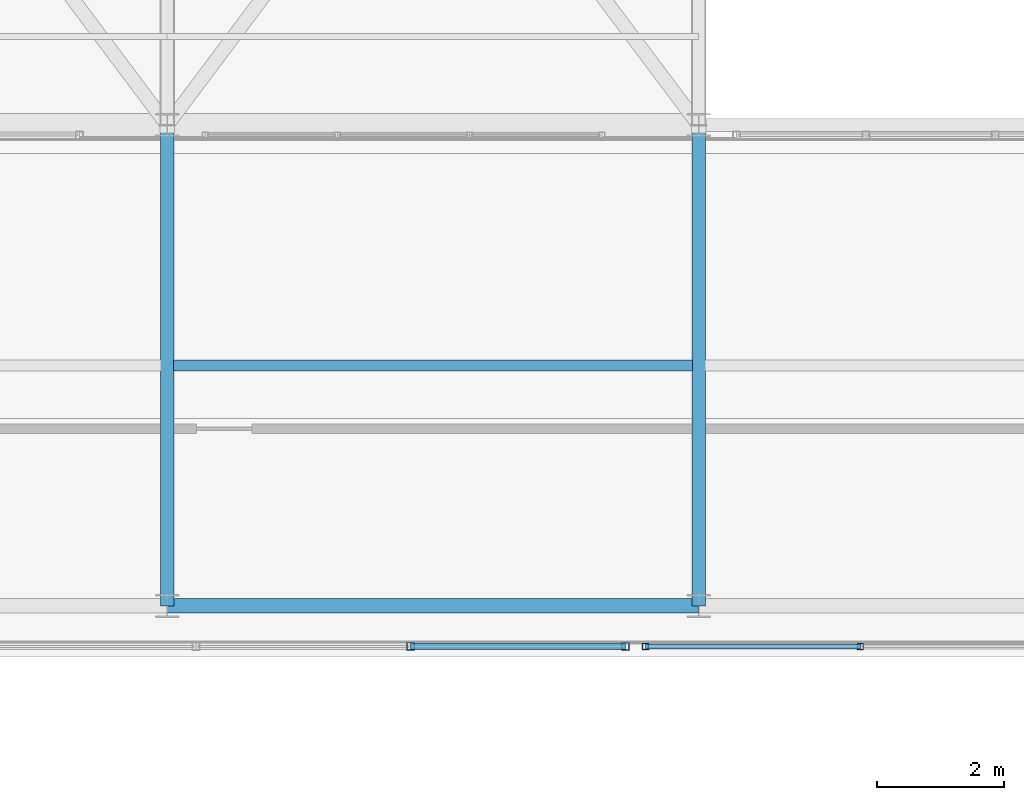
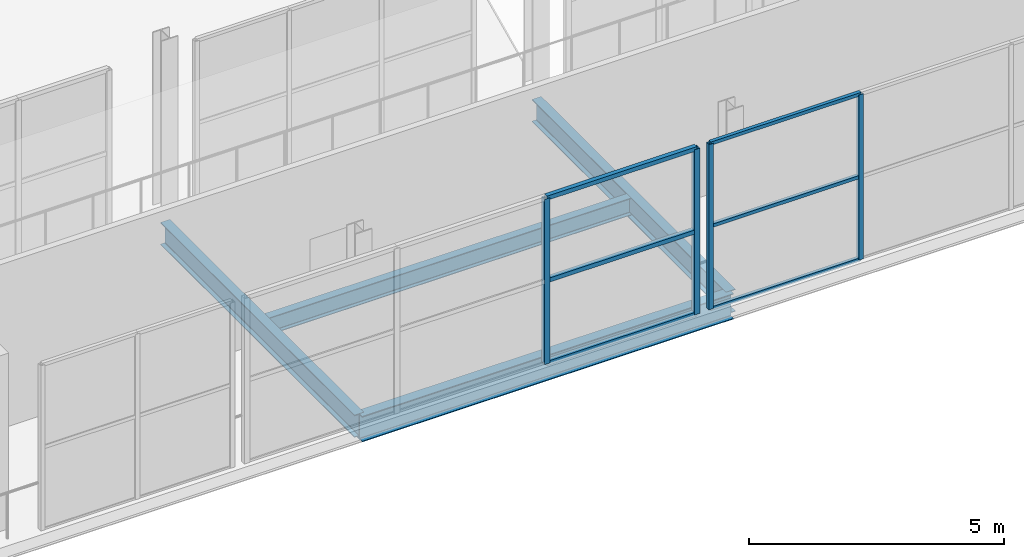
# One storey, part 88 of 217: 10 members, 4 beams, 2 elements without a shape of their own.
"""IFC4 building model written with IfcOpenShell, lengths in metres."""

from ifc_helpers import new_model, si_unit, direction, frame, origin, origin_2d, place, context, subcontext, project, spatial, hollow_rectangle, i_section, extrude, material, material_profile, profile_set, type_object, element, aggregate, save


model = new_model("IFC4")

# Units and contexts
model_context = context("Model", 3, precision=1e-05, world=origin(), true_north=direction((0.0, 1.0)))
body_context = subcontext(model_context, "Body", "Model", "MODEL_VIEW")
ifc_project = project(units=[si_unit("LENGTHUNIT", "METRE"), si_unit("AREAUNIT", "SQUARE_METRE"), si_unit("VOLUMEUNIT", "CUBIC_METRE"), si_unit("PLANEANGLEUNIT", "RADIAN"), si_unit("MASSUNIT", "GRAM", prefix="KILO")], contexts=[model_context])

# Site, building, storey
site_placement = place(None, origin())
site = spatial("IfcSite", under=ifc_project, at=site_placement, CompositionType="ELEMENT")
building_placement = place(site_placement, origin())
building = spatial("IfcBuilding", under=site, at=building_placement, Name="Zuvorla Pavilion Media Centre", CompositionType="ELEMENT")
storey_placement = place(building_placement, frame((0.0, 0.0, 9.60009765625)))
storey = spatial("IfcBuildingStorey", under=building, at=storey_placement, Name="L02", CompositionType="ELEMENT", Elevation=9.60009765625)

# Beams
ifc_material_1 = material(Name="Steel S355", Category="steel")
ifc_material_profile_1 = material_profile(ifc_material_1, i_section(OverallWidth=0.1787109375, OverallDepth=0.409423828125, WebThickness=0.0087890625, FlangeThickness=0.014404296875, FilletRadius=0.01025390625, at=origin_2d()), Name="UB 406x178x67")
ifc_profile_set_1 = profile_set([ifc_material_profile_1], Name="Steel S355")
beam_type_1 = type_object("IfcBeamType", Name="BM-UB406", PredefinedType="JOIST", material=ifc_profile_set_1)
beam_1_placement = place(storey_placement, frame((125.699951171875, 85.800048828125, -0.472900390625), z_axis=(1.0, 0.0, 0.0), x_axis=(0.0, 1.0, 0.0)))
element("IfcBeam", 1, at=beam_1_placement, inside=storey, type_object=beam_type_1, Name="L02 joist J02 1035", PredefinedType="JOIST", context=body_context, shape_type="SweptSolid", body=[
    extrude(i_section(OverallWidth=0.1787109375, OverallDepth=0.409423828125, WebThickness=0.0087890625, FlangeThickness=0.014404296875, FilletRadius=0.01025390625, at=origin_2d()), origin(), (0.0, 0.0, 1.0), 8.199951171875),
])
ifc_material_profile_2 = material_profile(ifc_material_1, i_section(OverallWidth=0.2099609375, OverallDepth=0.53662109375, WebThickness=0.0107421875, FlangeThickness=0.017333984375, FilletRadius=0.0126953125, at=origin_2d()), Name="UB 533x210x101")
ifc_profile_set_2 = profile_set([ifc_material_profile_2], Name="Steel S355")
beam_type_2 = type_object("IfcBeamType", Name="BM-UB533", PredefinedType="BEAM", material=ifc_profile_set_2)
for number, where, z_axis, x_axis, name in (
    (2, (125.60009765625, 82.0, -0.536376953125), (0.0, 1.0, 0.0), (-1.0, 0.0, 0.0), "L02 beam B08 964"),
    (3, (134.0, 82.0, -0.536376953125), (0.0, 1.0, 0.0), (-1.0, 0.0, 0.0), "L02 beam B08 966"),
):
    element("IfcBeam", number, at=place(storey_placement, frame(where, z_axis=z_axis, x_axis=x_axis)), inside=storey, type_object=beam_type_2, Name=name, PredefinedType="BEAM", context=body_context, shape_type="SweptSolid", body=[
        extrude(i_section(OverallWidth=0.2099609375, OverallDepth=0.53662109375, WebThickness=0.0107421875, FlangeThickness=0.017333984375, FilletRadius=0.0126953125, at=origin_2d()), origin(), (0.0, 0.0, 1.0), 7.60009765625),
    ])
ifc_material_profile_3 = material_profile(ifc_material_1, i_section(OverallWidth=0.22900390625, OverallDepth=0.6123046875, WebThickness=0.011962890625, FlangeThickness=0.01953125, FilletRadius=0.0126953125, at=origin_2d()), Name="UB 610x229x125")
ifc_profile_set_3 = profile_set([ifc_material_profile_3], Name="Steel S355")
beam_type_3 = type_object("IfcBeamType", Name="BM-UB610", PredefinedType="BEAM", material=ifc_profile_set_3)
beam_2_placement = place(storey_placement, frame((125.60009765625, 82.0, -0.57421875), z_axis=(1.0, 0.0, 0.0), x_axis=(0.0, 1.0, 0.0)))
element("IfcBeam", 4, at=beam_2_placement, inside=storey, type_object=beam_type_3, Name="L02 beam B07 871", PredefinedType="BEAM", context=body_context, shape_type="SweptSolid", body=[
    extrude(i_section(OverallWidth=0.22900390625, OverallDepth=0.6123046875, WebThickness=0.011962890625, FlangeThickness=0.01953125, FilletRadius=0.0126953125, at=origin_2d()), origin(), (0.0, 0.0, 1.0), 8.39990234375),
])

# Curtain wall, members
ifc_material_2 = material(Name="Unitised anodised aluminium and solar glass curtain wall", Category="aluminium")
curtain_wall_type_1 = type_object("IfcCurtainWallType", Name="CW-SYS-33", PredefinedType="USERDEFINED", material=ifc_material_2)
curtain_wall_1_placement = place(storey_placement, origin())
curtain_wall_1 = element("IfcCurtainWall", 5, at=curtain_wall_1_placement, inside=storey, type_object=curtain_wall_type_1, Name="L02 curtain wall CW33 83", ObjectType="CURTAIN WALL", PredefinedType="USERDEFINED")
ifc_material_3 = material(Name="Anodised aluminium 6063-T6", Category="aluminium")
ifc_material_profile_4 = material_profile(ifc_material_3, hollow_rectangle(XDim=0.10009765625, YDim=0.10009765625, WallThickness=0.00439453125, at=origin_2d()), Name="ALU MULL 100x100")
ifc_profile_set_4 = profile_set([ifc_material_profile_4], Name="Anodised aluminium 6063-T6")
member_type_1 = type_object("IfcMemberType", Name="CW-MULL-100", PredefinedType="MULLION", material=ifc_profile_set_4)
member_1_placement = place(storey_placement, frame((136.55322265625, 81.360107421875, 0.0), z_axis=(0.0, 0.0, 1.0), x_axis=(1.0, 0.0, 0.0)))
member_1 = element("IfcMember", 6, at=member_1_placement, type_object=member_type_1, Name="CW33 mullion 3", PredefinedType="MULLION", context=body_context, shape_type="SweptSolid", body=[
    extrude(hollow_rectangle(XDim=0.10009765625, YDim=0.10009765625, WallThickness=0.00439453125, at=origin_2d()), origin(), (0.0, 0.0, 1.0), 3.949951171875),
])
member_2_placement = place(storey_placement, frame((133.159912109375, 81.360107421875, 0.0), z_axis=(0.0, 0.0, 1.0), x_axis=(1.0, 0.0, 0.0)))
member_2 = element("IfcMember", 7, at=member_2_placement, type_object=member_type_1, Name="CW33 mullion 4", PredefinedType="MULLION", context=body_context, shape_type="SweptSolid", body=[
    extrude(hollow_rectangle(XDim=0.10009765625, YDim=0.10009765625, WallThickness=0.00439453125, at=origin_2d()), origin(), (0.0, 0.0, 1.0), 3.949951171875),
])

curtain_wall_type_2 = type_object("IfcCurtainWallType", Name="CW-SYS-30", PredefinedType="USERDEFINED", material=ifc_material_2)
curtain_wall_2_placement = place(storey_placement, origin())
curtain_wall_2 = element("IfcCurtainWall", 8, at=curtain_wall_2_placement, inside=storey, type_object=curtain_wall_type_2, Name="L02 curtain wall CW30 81", ObjectType="CURTAIN WALL", PredefinedType="USERDEFINED")
ifc_material_profile_5 = material_profile(ifc_material_3, hollow_rectangle(XDim=0.1201171875, YDim=0.1201171875, WallThickness=0.0048828125, at=origin_2d()), Name="ALU MULL 120x120")
ifc_profile_set_5 = profile_set([ifc_material_profile_5], Name="Anodised aluminium 6063-T6")
member_type_2 = type_object("IfcMemberType", Name="CW-MULL-120", PredefinedType="MULLION", material=ifc_profile_set_5)
member_3_placement = place(storey_placement, frame((132.840087890625, 81.360107421875, 0.0), z_axis=(0.0, 0.0, 1.0), x_axis=(1.0, 0.0, 0.0)))
member_3 = element("IfcMember", 9, at=member_3_placement, type_object=member_type_2, Name="CW30 mullion 1", PredefinedType="MULLION", context=body_context, shape_type="SweptSolid", body=[
    extrude(hollow_rectangle(XDim=0.1201171875, YDim=0.1201171875, WallThickness=0.0048828125, at=origin_2d()), origin(), (0.0, 0.0, 1.0), 3.949951171875),
])
member_4_placement = place(storey_placement, frame((129.44677734375, 81.360107421875, 0.0), z_axis=(0.0, 0.0, 1.0), x_axis=(1.0, 0.0, 0.0)))
member_4 = element("IfcMember", 10, at=member_4_placement, type_object=member_type_2, Name="CW30 mullion 2", PredefinedType="MULLION", context=body_context, shape_type="SweptSolid", body=[
    extrude(hollow_rectangle(XDim=0.1201171875, YDim=0.1201171875, WallThickness=0.0048828125, at=origin_2d()), origin(), (0.0, 0.0, 1.0), 3.949951171875),
])
ifc_material_profile_6 = material_profile(ifc_material_3, hollow_rectangle(XDim=0.10009765625, YDim=0.10009765625, WallThickness=0.00439453125, at=origin_2d()), Name="ALU TRAN 100x100")
ifc_profile_set_6 = profile_set([ifc_material_profile_6], Name="Anodised aluminium 6063-T6")
member_type_3 = type_object("IfcMemberType", Name="CW-TRAN-100", PredefinedType="USERDEFINED", material=ifc_profile_set_6)
member_5_placement = place(storey_placement, frame((132.840087890625, 81.360107421875, 0.0), z_axis=(-1.0, 0.0, 0.0), x_axis=(0.0, -1.0, 0.0)))
member_5 = element("IfcMember", 11, at=member_5_placement, type_object=member_type_3, Name="CW30 transom 1.1", ObjectType="TRANSOM", PredefinedType="USERDEFINED", context=body_context, shape_type="SweptSolid", body=[
    extrude(hollow_rectangle(XDim=0.10009765625, YDim=0.10009765625, WallThickness=0.00439453125, at=origin_2d()), origin(), (0.0, 0.0, 1.0), 3.393310546875),
])
member_6_placement = place(storey_placement, frame((132.840087890625, 81.360107421875, 1.974853515625), z_axis=(-1.0, 0.0, 0.0), x_axis=(0.0, -1.0, 0.0)))
member_6 = element("IfcMember", 12, at=member_6_placement, type_object=member_type_3, Name="CW30 transom 1.2", ObjectType="TRANSOM", PredefinedType="USERDEFINED", context=body_context, shape_type="SweptSolid", body=[
    extrude(hollow_rectangle(XDim=0.10009765625, YDim=0.10009765625, WallThickness=0.00439453125, at=origin_2d()), origin(), (0.0, 0.0, 1.0), 3.393310546875),
])
member_7_placement = place(storey_placement, frame((132.840087890625, 81.360107421875, 3.949951171875), z_axis=(-1.0, 0.0, 0.0), x_axis=(0.0, -1.0, 0.0)))
member_7 = element("IfcMember", 13, at=member_7_placement, type_object=member_type_3, Name="CW30 transom 1.3", ObjectType="TRANSOM", PredefinedType="USERDEFINED", context=body_context, shape_type="SweptSolid", body=[
    extrude(hollow_rectangle(XDim=0.10009765625, YDim=0.10009765625, WallThickness=0.00439453125, at=origin_2d()), origin(), (0.0, 0.0, 1.0), 3.393310546875),
])
aggregate(curtain_wall_2, [member_3, member_4, member_5, member_6, member_7])

# Member
ifc_material_profile_7 = material_profile(ifc_material_3, hollow_rectangle(XDim=0.080078125, YDim=0.080078125, WallThickness=0.00390625, at=origin_2d()), Name="ALU TRAN 80x80")
ifc_profile_set_7 = profile_set([ifc_material_profile_7], Name="Anodised aluminium 6063-T6")
member_type_4 = type_object("IfcMemberType", Name="CW-TRAN-80", PredefinedType="USERDEFINED", material=ifc_profile_set_7)
member_8_placement = place(storey_placement, frame((136.55322265625, 81.360107421875, 0.0), z_axis=(-1.0, 0.0, 0.0), x_axis=(0.0, -1.0, 0.0)))
member_8 = element("IfcMember", 14, at=member_8_placement, type_object=member_type_4, Name="CW33 transom 3.1", ObjectType="TRANSOM", PredefinedType="USERDEFINED", context=body_context, shape_type="SweptSolid", body=[
    extrude(hollow_rectangle(XDim=0.080078125, YDim=0.080078125, WallThickness=0.00390625, at=origin_2d()), origin(), (0.0, 0.0, 1.0), 3.393310546875),
])

member_9_placement = place(storey_placement, frame((136.55322265625, 81.360107421875, 1.974853515625), z_axis=(-1.0, 0.0, 0.0), x_axis=(0.0, -1.0, 0.0)))
member_9 = element("IfcMember", 15, at=member_9_placement, type_object=member_type_4, Name="CW33 transom 3.2", ObjectType="TRANSOM", PredefinedType="USERDEFINED", context=body_context, shape_type="SweptSolid", body=[
    extrude(hollow_rectangle(XDim=0.080078125, YDim=0.080078125, WallThickness=0.00390625, at=origin_2d()), origin(), (0.0, 0.0, 1.0), 3.393310546875),
])

member_10_placement = place(storey_placement, frame((136.55322265625, 81.360107421875, 3.949951171875), z_axis=(-1.0, 0.0, 0.0), x_axis=(0.0, -1.0, 0.0)))
member_10 = element("IfcMember", 16, at=member_10_placement, type_object=member_type_4, Name="CW33 transom 3.3", ObjectType="TRANSOM", PredefinedType="USERDEFINED", context=body_context, shape_type="SweptSolid", body=[
    extrude(hollow_rectangle(XDim=0.080078125, YDim=0.080078125, WallThickness=0.00390625, at=origin_2d()), origin(), (0.0, 0.0, 1.0), 3.393310546875),
])

aggregate(curtain_wall_1, [member_1, member_2, member_8, member_9, member_10])

save(model, "model.ifc")
